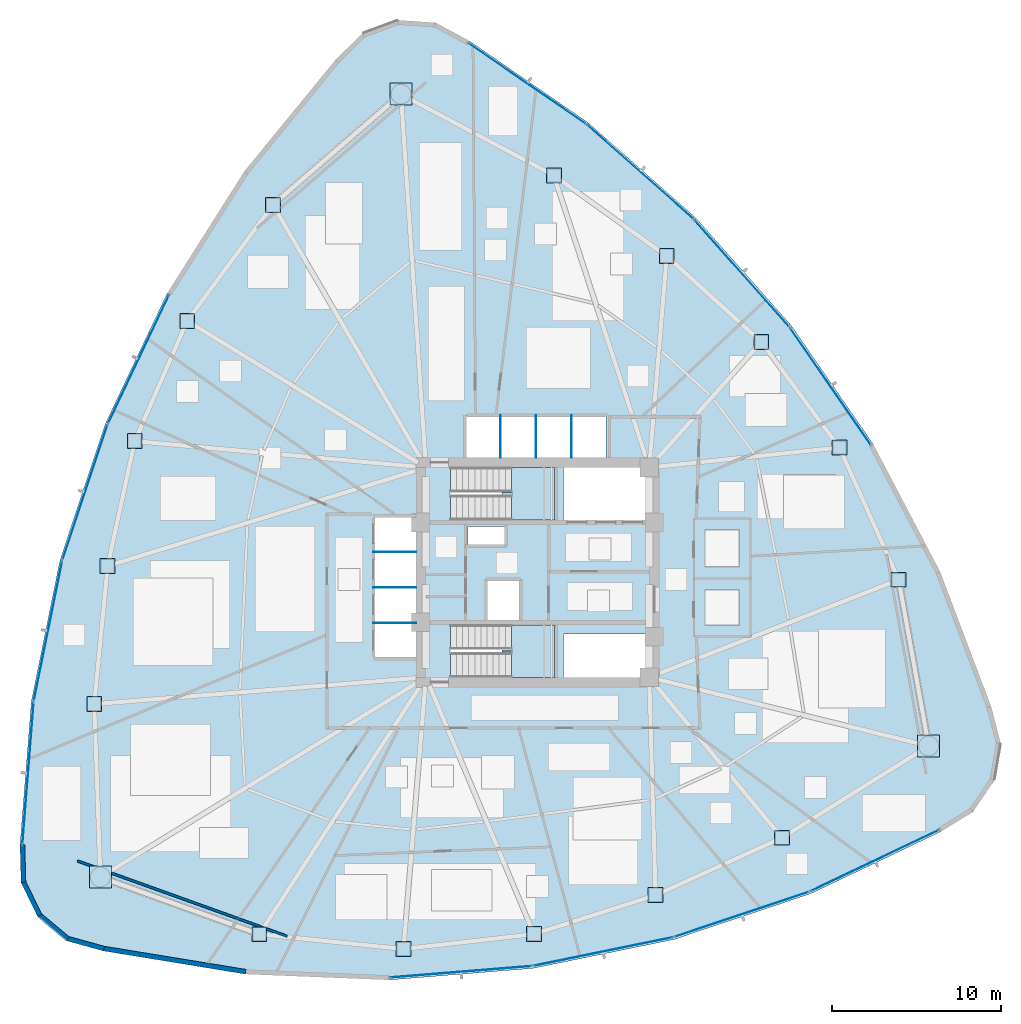
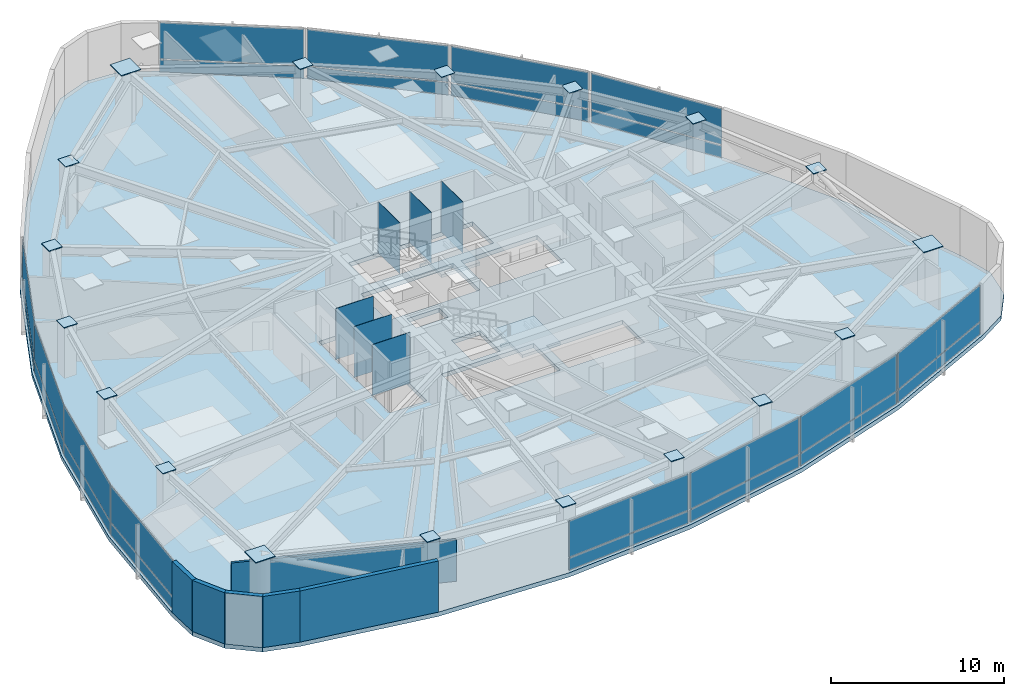
# One storey, part 11 of 18: 48 plates, 6 walls, 3 slabs, 14 elements without a shape of their own.
"""IFC4 building model written with IfcOpenShell, lengths in metres."""

import ifcopenshell
import ifcopenshell.guid

model = None  # the IFC model being written
_history = None  # IfcOwnerHistory: only IFC2X3 demands one
_inside = {}  # id of a spatial element -> (the spatial element, [elements in it])
_under = {}  # id of a project, library or spatial element -> (it, [spatial elements below it])
_declared = {}  # id of a project -> (the project, [libraries it declares])
_typed = {}  # id of a type object -> (the type object, [elements of that type])
_made_of = {}  # id of a material, layer set ... -> (it, [elements and type objects made of it])


def new_model(schema):
    """Start an empty IFC model of exactly this schema.

    Asked for "IFC4X3", IfcOpenShell would pick the latest addendum, in which some entities
    have other attributes; the version numbers below select the first issue.
    IFC2X3 requires an IfcOwnerHistory on every rooted entity: one is made here for all.
    """
    global model, _history
    if schema == "IFC4X3":
        model = ifcopenshell.file(schema_version=(4, 3, 0, 0))
    else:
        model = ifcopenshell.file(schema=schema)
    _inside.clear()
    _under.clear()
    _declared.clear()
    _typed.clear()
    _made_of.clear()
    _history = None
    if model.schema == "IFC2X3":
        org = make("IfcOrganization", Name="unknown")
        user = make(
            "IfcPersonAndOrganization",
            ThePerson=make("IfcPerson", FamilyName="unknown"),
            TheOrganization=org,
        )
        app = make(
            "IfcApplication",
            ApplicationDeveloper=org,
            Version="unknown",
            ApplicationFullName="unknown",
            ApplicationIdentifier="unknown",
        )
        _history = make(
            "IfcOwnerHistory",
            OwningUser=user,
            OwningApplication=app,
            ChangeAction="ADDED",
            CreationDate=0,
        )
    return model


def make(cls, **values):
    """One entity of the class cls with the attributes given. An attribute that is None is left unset."""
    return model.create_entity(
        cls, **{name: value for name, value in values.items() if value is not None}
    )


def rooted(cls, **values):
    """An entity with a GlobalId (a new one), such as an element, a storey or a relation."""
    return make(cls, GlobalId=ifcopenshell.guid.new(), OwnerHistory=_history, **values)


def si_unit(unit_type, name, prefix=None):
    """IfcSIUnit, for example si_unit("LENGTHUNIT", "METRE", prefix="MILLI")."""
    return make("IfcSIUnit", UnitType=unit_type, Prefix=prefix, Name=name)


def assignment(units):
    """IfcUnitAssignment: the units of a project."""
    return None if units is None else make("IfcUnitAssignment", Units=units)


def point(xyz):
    """IfcCartesianPoint."""
    return None if xyz is None else make("IfcCartesianPoint", Coordinates=xyz)


def direction(xyz):
    """IfcDirection."""
    return None if xyz is None else make("IfcDirection", DirectionRatios=xyz)


def frame(location, z_axis=None, x_axis=None):
    """IfcAxis2Placement3D, a coordinate frame: its origin and axes. An axis left out is left unset."""
    return make(
        "IfcAxis2Placement3D",
        Location=point(location),
        Axis=direction(z_axis),
        RefDirection=direction(x_axis),
    )


def frame_2d(location, x_axis=None):
    """IfcAxis2Placement2D, a coordinate frame in the plane: its origin and x axis."""
    return make(
        "IfcAxis2Placement2D", Location=point(location), RefDirection=direction(x_axis)
    )


def origin():
    """The frame at (0, 0, 0) with its axes left unset."""
    return frame((0.0, 0.0, 0.0))


def origin_2d():
    """The frame at (0, 0) in the plane with its x axis left unset."""
    return frame_2d((0.0, 0.0))


def place(relative_to, where):
    """IfcLocalPlacement: puts the frame where relative to a parent placement (None: the world)."""
    return make(
        "IfcLocalPlacement", PlacementRelTo=relative_to, RelativePlacement=where
    )


def context(
    kind, dimensions, precision=None, world=None, true_north=None, identifier=None
):
    """IfcGeometricRepresentationContext, for example the 3D "Model" context."""
    return make(
        "IfcGeometricRepresentationContext",
        ContextIdentifier=identifier,
        ContextType=kind,
        CoordinateSpaceDimension=dimensions,
        Precision=precision,
        WorldCoordinateSystem=world,
        TrueNorth=true_north,
    )


def subcontext(parent, identifier, kind, view, scale=None):
    """IfcGeometricRepresentationSubContext, for example "Body" below "Model"."""
    return make(
        "IfcGeometricRepresentationSubContext",
        ContextIdentifier=identifier,
        ContextType=kind,
        ParentContext=parent,
        TargetScale=scale,
        TargetView=view,
    )


def project(units=None, contexts=None):
    """IfcProject with its units and contexts."""
    return rooted(
        "IfcProject",
        Name="project",
        RepresentationContexts=contexts,
        UnitsInContext=assignment(units),
    )


def spatial(cls, under=None, at=None, **own):
    """A site, building, storey or space (cls), placed at a placement, below another one or the project."""
    s = rooted(cls, ObjectPlacement=at, **own)
    if under is not None:
        _under.setdefault(under.id(), (under, []))[1].append(s)
    return s


def polyline(points):
    """IfcPolyline through the points."""
    return make("IfcPolyline", Points=[point(p) for p in points])


def profile(cls, at=None, kind="AREA", **sizes):
    """A parametric profile (cls). Its sizes go by their IFC names, for example OverallWidth=200.0."""
    return make(cls, ProfileType=kind, Position=at, **sizes)


def rectangle(**sizes):
    """IfcRectangleProfileDef."""
    return profile("IfcRectangleProfileDef", **sizes)


def outline(outer, holes=None, kind="AREA"):
    """IfcArbitraryClosedProfileDef: a profile drawn as a closed curve; with holes, ...WithVoids."""
    if holes is None:
        return make("IfcArbitraryClosedProfileDef", ProfileType=kind, OuterCurve=outer)
    return make(
        "IfcArbitraryProfileDefWithVoids",
        ProfileType=kind,
        OuterCurve=outer,
        InnerCurves=holes,
    )


def extrude(swept, where, along, depth):
    """IfcExtrudedAreaSolid: the profile swept, set in the frame where, extruded along a direction by depth."""
    return make(
        "IfcExtrudedAreaSolid",
        SweptArea=swept,
        Position=where,
        ExtrudedDirection=direction(along),
        Depth=depth,
    )


def shape(context_of_items, identifier, shape_type, items):
    """IfcShapeRepresentation: the items that make up one representation, for example the "Body"."""
    return make(
        "IfcShapeRepresentation",
        ContextOfItems=context_of_items,
        RepresentationIdentifier=identifier,
        RepresentationType=shape_type,
        Items=items,
    )


def source(mapping_origin, context_of_items, identifier, shape_type, items):
    """IfcRepresentationMap: a shape defined once, which mapped items show again and again."""
    return make(
        "IfcRepresentationMap",
        MappingOrigin=mapping_origin,
        MappedRepresentation=shape(context_of_items, identifier, shape_type, items),
    )


def transform(
    local_origin,
    x_axis=None,
    y_axis=None,
    z_axis=None,
    scale=None,
    scale2=None,
    scale3=None,
    uniform=True,
):
    """IfcCartesianTransformationOperator3D, or its non-uniform kind. x_axis, y_axis, z_axis: its Axis1, 2, 3."""
    if uniform:
        return make(
            "IfcCartesianTransformationOperator3D",
            Axis1=direction(x_axis),
            Axis2=direction(y_axis),
            LocalOrigin=point(local_origin),
            Scale=scale,
            Axis3=direction(z_axis),
        )
    return make(
        "IfcCartesianTransformationOperator3DnonUniform",
        Axis1=direction(x_axis),
        Axis2=direction(y_axis),
        LocalOrigin=point(local_origin),
        Scale=scale,
        Axis3=direction(z_axis),
        Scale2=scale2,
        Scale3=scale3,
    )


def mapped(mapping_source, mapping_target):
    """IfcMappedItem: shows the shape of a source again, moved by a transform."""
    return make(
        "IfcMappedItem", MappingSource=mapping_source, MappingTarget=mapping_target
    )


def material(Name=None, Category=None):
    """IfcMaterial."""
    return make("IfcMaterial", Name=Name, Category=Category)


def layer(
    of_material, thickness, ventilated=None, Name=None, Category=None, Priority=None
):
    """IfcMaterialLayer: one layer of a wall or slab, of a material (None: an air gap)."""
    return make(
        "IfcMaterialLayer",
        Material=of_material,
        LayerThickness=thickness,
        IsVentilated=ventilated,
        Name=Name,
        Category=Category,
        Priority=Priority,
    )


def layer_set(layers, Name=None):
    """IfcMaterialLayerSet."""
    return make("IfcMaterialLayerSet", MaterialLayers=layers, LayerSetName=Name)


def made_of(thing, what):
    """Note that an element or type object is made of a material, layer set ...; save() writes the relation."""
    if what is not None:
        _made_of.setdefault(what.id(), (what, []))[1].append(thing)
    return thing


def type_object(cls, material=None, **own):
    """A type object (cls), such as IfcWallType, which elements share."""
    return made_of(rooted(cls, **own), material)


def type_shapes(of_type, sources):
    """Give a type object the sources (RepresentationMaps) that its elements show as mapped items."""
    of_type.RepresentationMaps = sources


def element(
    cls,
    number,
    at=None,
    inside=None,
    cuts=None,
    type_object=None,
    material=None,
    context=None,
    identifier="Body",
    shape_type=None,
    held_by="IfcProductDefinitionShape",
    body=None,
    shapes=None,
    **own,
):
    """One element of the class cls, such as IfcWall. Its Tag is "e" and its number.

    at: its placement. inside: the storey or other place that contains it. cuts: it is an
    opening in that element (IfcRelVoidsElement). A single representation is given by context,
    identifier, shape_type and body (its items); several are given by shapes. held_by: the class
    of the entity that holds the representations. save() writes the other relations.
    """
    e = rooted(cls, Tag="e%d" % number, ObjectPlacement=at, **own)
    if body is not None:
        shapes = [shape(context, identifier, shape_type, body)]
    if shapes is not None:
        e.Representation = make(held_by, Representations=shapes)
    if inside is not None:
        _inside.setdefault(inside.id(), (inside, []))[1].append(e)
    if cuts is not None:
        rooted(
            "IfcRelVoidsElement", RelatingBuildingElement=cuts, RelatedOpeningElement=e
        )
    if type_object is not None:
        _typed.setdefault(type_object.id(), (type_object, []))[1].append(e)
    return made_of(e, material)


def aggregate(whole, parts):
    """IfcRelAggregates: a whole, such as a stair, and the parts it consists of."""
    return rooted("IfcRelAggregates", RelatingObject=whole, RelatedObjects=parts)


def save(model, path):
    """Write the relations noted so far, then the file.

    IfcRelAggregates (storeys below a building ...), IfcRelContainedInSpatialStructure (elements
    in a storey), IfcRelDefinesByType, IfcRelAssociatesMaterial and IfcRelDeclares: one each for
    every whole, place, type object, material and project.
    """
    for whole, parts in _under.values():
        aggregate(whole, parts)
    for where, things in _inside.values():
        rooted(
            "IfcRelContainedInSpatialStructure",
            RelatedElements=things,
            RelatingStructure=where,
        )
    for kind, things in _typed.values():
        rooted("IfcRelDefinesByType", RelatedObjects=things, RelatingType=kind)
    for what, things in _made_of.values():
        rooted("IfcRelAssociatesMaterial", RelatedObjects=things, RelatingMaterial=what)
    for by, libraries in _declared.values():
        rooted("IfcRelDeclares", RelatingContext=by, RelatedDefinitions=libraries)
    model.write(path)


model = new_model("IFC4")

# Units and contexts
model_context = context("Model", 3, precision=1e-05, world=origin(), true_north=direction((0.0, 1.0)))
body_context = subcontext(model_context, "Body", "Model", "MODEL_VIEW")
ifc_project = project(units=[si_unit("LENGTHUNIT", "METRE"), si_unit("AREAUNIT", "SQUARE_METRE"), si_unit("VOLUMEUNIT", "CUBIC_METRE"), si_unit("PLANEANGLEUNIT", "RADIAN"), si_unit("MASSUNIT", "GRAM", prefix="KILO")], contexts=[model_context])

# Site, building, storey
site_placement = place(None, origin())
site = spatial("IfcSite", under=ifc_project, at=site_placement, CompositionType="ELEMENT")
building_placement = place(site_placement, origin())
building = spatial("IfcBuilding", under=site, at=building_placement, Name="Tavelor Broadcast Tower", CompositionType="ELEMENT")
storey_placement = place(building_placement, frame((0.0, 0.0, 58.800048828125)))
storey = spatial("IfcBuildingStorey", under=building, at=storey_placement, Name="L13", CompositionType="ELEMENT", Elevation=58.800048828125)

# Stair, slab
ifc_material_1 = material(Name="Concrete C40/50", Category="concrete")
stair_type = type_object("IfcStairType", Name="Reinforced Concrete Protected Dogleg Stair 1450 mm", PredefinedType="HALF_TURN_STAIR", material=ifc_material_1)
stair_1_placement = place(storey_placement, origin())
stair_1 = element("IfcStair", 1, at=stair_1_placement, inside=storey, type_object=stair_type, Name="L13 Protected Core Exit Stair ST1", PredefinedType="HALF_TURN_STAIR")
ifc_layer_1 = layer(ifc_material_1, 0.199951171875)
ifc_layer_set_1 = layer_set([ifc_layer_1], Name="Concrete C40/50")
slab_type_1 = type_object("IfcSlabType", Name="Reinforced Concrete Stair Half-Landing Slab 200 mm", PredefinedType="LANDING", material=ifc_layer_set_1)
slab_1_placement = place(storey_placement, frame((0.0, 0.0, 1.75)))
slab_1 = element("IfcSlab", 2, at=slab_1_placement, type_object=slab_type_1, Name="ST1 landing 1", PredefinedType="LANDING", context=body_context, shape_type="SweptSolid", body=[
    extrude(outline(polyline([(48.445068359375, 49.590087890625), (48.445068359375, 48.094970703125), (51.0048828125, 48.094970703125), (51.0048828125, 51.205078125), (48.445068359375, 51.205078125), (48.445068359375, 49.7099609375), (47.905029296875, 49.7099609375), (47.905029296875, 49.590087890625), (48.445068359375, 49.590087890625)])), origin(), (0.0, 0.0, 1.0), 0.199951171875),
])
aggregate(stair_1, [slab_1])

stair_2_placement = place(storey_placement, origin())
stair_2 = element("IfcStair", 3, at=stair_2_placement, inside=storey, type_object=stair_type, Name="L13 Protected Core Exit Stair ST2", PredefinedType="HALF_TURN_STAIR")
slab_2_placement = place(storey_placement, frame((0.0, 0.0, 1.75)))
slab_2 = element("IfcSlab", 4, at=slab_2_placement, type_object=slab_type_1, Name="ST2 landing 1", PredefinedType="LANDING", context=body_context, shape_type="SweptSolid", body=[
    extrude(outline(polyline([(48.445068359375, 40.2900390625), (48.445068359375, 38.794921875), (51.0048828125, 38.794921875), (51.0048828125, 41.905029296875), (48.445068359375, 41.905029296875), (48.445068359375, 40.409912109375), (47.905029296875, 40.409912109375), (47.905029296875, 40.2900390625), (48.445068359375, 40.2900390625)])), origin(), (0.0, 0.0, 1.0), 0.199951171875),
])
aggregate(stair_2, [slab_2])

# Slab
ifc_layer_2 = layer(ifc_material_1, 0.300048828125)
ifc_layer_set_2 = layer_set([ifc_layer_2], Name="Concrete C40/50")
slab_type_2 = type_object("IfcSlabType", Name="Tower Composite Floor Slab 300 mm", PredefinedType="FLOOR", material=ifc_layer_set_2)
slab_3_placement = place(storey_placement, frame((0.0, 0.0, -0.300048828125)))
element("IfcSlab", 5, at=slab_3_placement, inside=storey, type_object=slab_type_2, Name="L13 Structural Floor Slab", PredefinedType="FLOOR", context=body_context, shape_type="SweptSolid", body=[
    extrude(outline(polyline([(45.954833984375, 76.425537109375), (43.985595703125, 77.488037109375), (41.75390625, 77.64599609375), (39.654541015625, 76.87158203125), (38.06005859375, 75.302001953125), (32.668701171875, 68.709228515625), (28.114501953125, 61.5126953125), (24.46484375, 53.81787109375), (21.773193359375, 45.73779296875), (20.0791015625, 37.3916015625), (19.4072265625, 28.901611328125), (19.4716796875, 26.6650390625), (20.45068359375, 24.6533203125), (22.171142578125, 23.222412109375), (24.32763671875, 22.62646484375), (32.73291015625, 21.253662109375), (41.2421875, 20.907958984375), (49.731201171875, 21.5947265625), (58.074462890625, 23.3037109375), (66.1494140625, 26.009521484375), (73.837890625, 29.6728515625), (75.74267578125, 30.846923828125), (76.995361328125, 32.70068359375), (77.374267578125, 34.906005859375), (76.812255859375, 37.071533203125), (73.798583984375, 45.037109375), (69.843017578125, 52.579345703125), (65.004150390625, 59.58740234375), (59.3525390625, 65.95849609375), (52.971435546875, 71.598876953125), (45.954833984375, 76.425537109375)]), holes=[polyline([(56.60009765625, 38.800048828125), (51.52001953125, 38.800048828125), (51.52001953125, 41.35009765625), (56.60009765625, 41.35009765625), (56.60009765625, 38.800048828125)]), polyline([(50.99609375, 38.803955078125), (44.85400390625, 38.803955078125), (44.85400390625, 41.89599609375), (50.99609375, 41.89599609375), (50.99609375, 38.803955078125)]), polyline([(47.050048828125, 42.199951171875), (47.050048828125, 44.550048828125), (48.949951171875, 44.550048828125), (48.949951171875, 42.199951171875), (47.050048828125, 42.199951171875)]), polyline([(40.35009765625, 40.0), (40.35009765625, 48.25), (42.800048828125, 48.25), (42.800048828125, 40.0), (40.35009765625, 40.0)]), polyline([(48.050048828125, 46.64990234375), (45.89990234375, 46.64990234375), (45.89990234375, 47.699951171875), (48.050048828125, 47.699951171875), (48.050048828125, 46.64990234375)]), polyline([(50.99609375, 48.10400390625), (44.85400390625, 48.10400390625), (44.85400390625, 51.196044921875), (50.99609375, 51.196044921875), (50.99609375, 48.10400390625)]), polyline([(56.60009765625, 48.10009765625), (51.52001953125, 48.10009765625), (51.52001953125, 51.199951171875), (56.60009765625, 51.199951171875), (56.60009765625, 48.10009765625)]), polyline([(54.050048828125, 51.800048828125), (45.800048828125, 51.800048828125), (45.800048828125, 54.25), (54.050048828125, 54.25), (54.050048828125, 51.800048828125)])]), origin(), (0.0, 0.0, 1.0), 0.300048828125),
])

# Plates
ifc_material_2 = material(Name="Steel S460", Category="steel")
ifc_layer_3 = layer(ifc_material_2, 0.050048828125)
ifc_layer_set_3 = layer_set([ifc_layer_3], Name="Steel S460")
plate_type_1 = type_object("IfcPlateType", Name="Tube Hollow-End Cap Plate KN05 700x700x50", PredefinedType="USERDEFINED", material=ifc_layer_set_3)
shared_shape_1 = source(origin(), body_context, "Body", "SweptSolid", [
    extrude(rectangle(XDim=1.299072265625, YDim=1.299072265625, at=origin_2d()), origin(), (0.0, 0.0, 1.0), 0.054931640625),
])
for number, where, z_axis, x_axis, name in (
    (6, (41.923095703125, 73.266357421875, 3.572265625), (0.0, 0.0, 1.0), (1.0, 0.0, 0.0), "L13 Hollow End Cap Plate KN05 #418"),
    (7, (24.1591796875, 26.98974609375, 3.572265625), (0.0, 0.0, 1.0), (1.0, 0.0, 0.0), "L13 Hollow End Cap Plate KN05 #424"),
    (8, (73.117919921875, 34.743896484375, 3.572265625), (0.0, 0.0, 1.0), (1.0, 0.0, 0.0), "L13 Hollow End Cap Plate KN05 #430"),
):
    element("IfcPlate", number, at=place(storey_placement, frame(where, z_axis=z_axis, x_axis=x_axis)), inside=storey, type_object=plate_type_1, Name=name, ObjectType="CAP PLATE", PredefinedType="USERDEFINED", context=body_context, shape_type="MappedRepresentation", body=[
        mapped(shared_shape_1, transform((0.0, 0.0, 0.0), scale=1.0)),
    ])
shared_shape_2 = source(origin(), body_context, "Body", "SweptSolid", [
    extrude(rectangle(XDim=0.8798828125, YDim=0.8798828125, at=origin_2d()), origin(), (0.0, 0.0, 1.0), 0.054931640625),
])
type_shapes(plate_type_1, [shared_shape_1, shared_shape_2])
for number, where, z_axis, x_axis, name in (
    (9, (34.356201171875, 66.727783203125, 3.572265625), (0.0, 0.0, 1.0), (1.0, 0.0, 0.0), "L13 Hollow End Cap Plate KN05 #419"),
    (10, (29.292236328125, 59.87158203125, 3.572265625), (0.0, 0.0, 1.0), (1.0, 0.0, 0.0), "L13 Hollow End Cap Plate KN05 #420"),
    (11, (26.189208984375, 52.75830078125, 3.572265625), (0.0, 0.0, 1.0), (1.0, 0.0, 0.0), "L13 Hollow End Cap Plate KN05 #421"),
    (12, (24.58984375, 45.380615234375, 3.572265625), (0.0, 0.0, 1.0), (1.0, 0.0, 0.0), "L13 Hollow End Cap Plate KN05 #422"),
    (13, (23.794677734375, 37.21630859375, 3.572265625), (0.0, 0.0, 1.0), (1.0, 0.0, 0.0), "L13 Hollow End Cap Plate KN05 #423"),
    (14, (33.55078125, 23.615478515625, 3.572265625), (0.0, 0.0, 1.0), (1.0, 0.0, 0.0), "L13 Hollow End Cap Plate KN05 #425"),
    (15, (42.0732421875, 22.740478515625, 3.572265625), (0.0, 0.0, 1.0), (1.0, 0.0, 0.0), "L13 Hollow End Cap Plate KN05 #426"),
    (16, (49.78662109375, 23.617919921875, 3.572265625), (0.0, 0.0, 1.0), (1.0, 0.0, 0.0), "L13 Hollow End Cap Plate KN05 #427"),
    (17, (56.975341796875, 25.92138671875, 3.572265625), (0.0, 0.0, 1.0), (1.0, 0.0, 0.0), "L13 Hollow End Cap Plate KN05 #428"),
    (18, (64.443603515625, 29.31494140625, 3.572265625), (0.0, 0.0, 1.0), (1.0, 0.0, 0.0), "L13 Hollow End Cap Plate KN05 #429"),
    (19, (71.343994140625, 44.564697265625, 3.572265625), (0.0, 0.0, 1.0), (1.0, 0.0, 0.0), "L13 Hollow End Cap Plate KN05 #431"),
    (20, (67.8408203125, 52.382568359375, 3.572265625), (0.0, 0.0, 1.0), (1.0, 0.0, 0.0), "L13 Hollow End Cap Plate KN05 #432"),
    (21, (63.22412109375, 58.623779296875, 3.572265625), (0.0, 0.0, 1.0), (1.0, 0.0, 0.0), "L13 Hollow End Cap Plate KN05 #433"),
    (22, (57.634765625, 63.69775390625, 3.572265625), (0.0, 0.0, 1.0), (1.0, 0.0, 0.0), "L13 Hollow End Cap Plate KN05 #434"),
    (23, (50.9619140625, 68.468505859375, 3.572265625), (0.0, 0.0, 1.0), (1.0, 0.0, 0.0), "L13 Hollow End Cap Plate KN05 #435"),
):
    element("IfcPlate", number, at=place(storey_placement, frame(where, z_axis=z_axis, x_axis=x_axis)), inside=storey, type_object=plate_type_1, Name=name, ObjectType="CAP PLATE", PredefinedType="USERDEFINED", context=body_context, shape_type="MappedRepresentation", body=[
        mapped(shared_shape_2, transform((0.0, 0.0, 0.0), scale=1.0)),
    ])
ifc_material_3 = material(Name="Steel S355", Category="steel")
ifc_layer_4 = layer(ifc_material_3, 0.011962890625)
ifc_layer_set_4 = layer_set([ifc_layer_4], Name="Steel S355")
plate_type_2 = type_object("IfcPlateType", Name="Hoistway Steel Separator Screen 12 mm", PredefinedType="SHEET", material=ifc_layer_set_4)
shared_shape_3 = source(origin(), body_context, "Body", "SweptSolid", [
    extrude(rectangle(XDim=2.52001953125, YDim=0.02001953125, at=origin_2d()), origin(), (0.0, 0.0, 1.0), 3.60009765625),
])
for number, where, z_axis, x_axis, name in (
    (24, (41.56005859375, 42.0, 0.0), (0.0, 0.0, 1.0), (1.0, 0.0, 0.0), "L13 Low-Rise Hoistway Separator Screen 1"),
    (25, (41.56005859375, 44.10009765625, 0.0), (0.0, 0.0, 1.0), (1.0, 0.0, 0.0), "L13 Low-Rise Hoistway Separator Screen 2"),
    (26, (41.56005859375, 46.199951171875, 0.0), (0.0, 0.0, 1.0), (1.0, 0.0, 0.0), "L13 Low-Rise Hoistway Separator Screen 3"),
):
    element("IfcPlate", number, at=place(storey_placement, frame(where, z_axis=z_axis, x_axis=x_axis)), inside=storey, type_object=plate_type_2, Name=name, PredefinedType="SHEET", context=body_context, shape_type="MappedRepresentation", body=[
        mapped(shared_shape_3, transform((0.0, 0.0, 0.0), scale=1.0)),
    ])
shared_shape_4 = source(origin(), body_context, "Body", "SweptSolid", [
    extrude(rectangle(XDim=0.02001953125, YDim=2.52001953125, at=origin_2d()), origin(), (0.0, 0.0, 1.0), 3.60009765625),
])
type_shapes(plate_type_2, [shared_shape_3, shared_shape_4])
for number, where, z_axis, x_axis, name in (
    (27, (47.800048828125, 53.0400390625, 0.0), (0.0, 0.0, 1.0), (1.0, 0.0, 0.0), "L13 High-Rise Hoistway Separator Screen 1"),
    (28, (49.89990234375, 53.0400390625, 0.0), (0.0, 0.0, 1.0), (1.0, 0.0, 0.0), "L13 High-Rise Hoistway Separator Screen 2"),
    (29, (52.0, 53.0400390625, 0.0), (0.0, 0.0, 1.0), (1.0, 0.0, 0.0), "L13 High-Rise Hoistway Separator Screen 3"),
):
    element("IfcPlate", number, at=place(storey_placement, frame(where, z_axis=z_axis, x_axis=x_axis)), inside=storey, type_object=plate_type_2, Name=name, PredefinedType="SHEET", context=body_context, shape_type="MappedRepresentation", body=[
        mapped(shared_shape_4, transform((0.0, 0.0, 0.0), scale=1.0)),
    ])

# Curtain wall, plate
ifc_material_4 = material(Name="Architectural Anodized Aluminium", Category="aluminium")
ifc_layer_5 = layer(ifc_material_4, 0.179931640625)
ifc_layer_set_5 = layer_set([ifc_layer_5], Name="Architectural Anodized Aluminium")
curtain_wall_type = type_object("IfcCurtainWallType", Name="Tower Low-Zone Unitised Curtain Wall CW02", PredefinedType="NOTDEFINED", material=ifc_layer_set_5)
curtain_wall_1_placement = place(storey_placement, origin())
curtain_wall_1 = element("IfcCurtainWall", 30, at=curtain_wall_1_placement, inside=storey, type_object=curtain_wall_type, Name="L13 Curtain Wall CW02 Run 109", PredefinedType="NOTDEFINED")
ifc_material_5 = material(Name="Acoustic Double Glazing 28 mm", Category="glass")
ifc_layer_6 = layer(ifc_material_5, 0.028076171875)
ifc_layer_set_6 = layer_set([ifc_layer_6], Name="Acoustic Double Glazing 28 mm")
plate_type_3 = type_object("IfcPlateType", Name="CW02 Insulated Vision Glazing Panel 28 mm", PredefinedType="CURTAIN_PANEL", material=ifc_layer_set_6)
shared_shape_5 = source(origin(), body_context, "Body", "SweptSolid", [
    extrude(rectangle(XDim=8.3544921875, YDim=0.028076171875, at=origin_2d()), origin(), (0.0, 0.0, 1.0), 0.8525390625),
])
plate_1_placement = place(storey_placement, frame((26.41943359375, 57.612060546875, 0.06494140625), z_axis=(0.0, 0.0, 1.0), x_axis=(-0.428537209834, -0.903524133484, 0.0)))
plate_1 = element("IfcPlate", 31, at=plate_1_placement, type_object=plate_type_3, Name="CW02 panel 1.1", PredefinedType="CURTAIN_PANEL", context=body_context, shape_type="MappedRepresentation", body=[
    mapped(shared_shape_5, transform((0.0, 0.0, 0.0), scale=1.0)),
])

curtain_wall_2_placement = place(storey_placement, origin())
curtain_wall_2 = element("IfcCurtainWall", 32, at=curtain_wall_2_placement, inside=storey, type_object=curtain_wall_type, Name="L13 Curtain Wall CW02 Run 113", PredefinedType="NOTDEFINED")
plate_2_placement = place(storey_placement, frame((45.468017578125, 21.39013671875, 0.06494140625), z_axis=(0.0, 0.0, 1.0), x_axis=(0.996744169604, 0.080629153288, 0.0)))
plate_2 = element("IfcPlate", 33, at=plate_2_placement, type_object=plate_type_3, Name="CW02 panel 1.1", PredefinedType="CURTAIN_PANEL", context=body_context, shape_type="MappedRepresentation", body=[
    mapped(shared_shape_5, transform((0.0, 0.0, 0.0), scale=1.0)),
])

curtain_wall_3_placement = place(storey_placement, origin())
curtain_wall_3 = element("IfcCurtainWall", 34, at=curtain_wall_3_placement, inside=storey, type_object=curtain_wall_type, Name="L13 Curtain Wall CW02 Run 117", PredefinedType="NOTDEFINED")
plate_3_placement = place(storey_placement, frame((67.312744140625, 55.99755859375, 0.06494140625), z_axis=(0.0, 0.0, 1.0), x_axis=(-0.568201358552, 0.82288955282, 0.0)))
plate_3 = element("IfcPlate", 35, at=plate_3_placement, type_object=plate_type_3, Name="CW02 panel 1.1", PredefinedType="CURTAIN_PANEL", context=body_context, shape_type="MappedRepresentation", body=[
    mapped(shared_shape_5, transform((0.0, 0.0, 0.0), scale=1.0)),
])

# Plate
shared_shape_6 = source(origin(), body_context, "Body", "SweptSolid", [
    extrude(rectangle(XDim=8.3544921875, YDim=0.028076171875, at=origin_2d()), origin(), (0.0, 0.0, 1.0), 2.552490234375),
])
plate_4_placement = place(storey_placement, frame((26.41943359375, 57.612060546875, 0.982421875), z_axis=(0.0, 0.0, 1.0), x_axis=(-0.428537209834, -0.903524133484, 0.0)))
plate_4 = element("IfcPlate", 36, at=plate_4_placement, type_object=plate_type_3, Name="CW02 panel 1.2", PredefinedType="CURTAIN_PANEL", context=body_context, shape_type="MappedRepresentation", body=[
    mapped(shared_shape_6, transform((0.0, 0.0, 0.0), scale=1.0)),
])

aggregate(curtain_wall_1, [plate_1, plate_4])

plate_5_placement = place(storey_placement, frame((45.468017578125, 21.39013671875, 0.982421875), z_axis=(0.0, 0.0, 1.0), x_axis=(0.996744169604, 0.080629153288, 0.0)))
plate_5 = element("IfcPlate", 37, at=plate_5_placement, type_object=plate_type_3, Name="CW02 panel 1.2", PredefinedType="CURTAIN_PANEL", context=body_context, shape_type="MappedRepresentation", body=[
    mapped(shared_shape_6, transform((0.0, 0.0, 0.0), scale=1.0)),
])

aggregate(curtain_wall_2, [plate_2, plate_5])

plate_6_placement = place(storey_placement, frame((67.312744140625, 55.99755859375, 0.982421875), z_axis=(0.0, 0.0, 1.0), x_axis=(-0.568201358552, 0.82288955282, 0.0)))
plate_6 = element("IfcPlate", 38, at=plate_6_placement, type_object=plate_type_3, Name="CW02 panel 1.2", PredefinedType="CURTAIN_PANEL", context=body_context, shape_type="MappedRepresentation", body=[
    mapped(shared_shape_6, transform((0.0, 0.0, 0.0), scale=1.0)),
])

aggregate(curtain_wall_3, [plate_3, plate_6])

# Curtain wall, plate
curtain_wall_4_placement = place(storey_placement, origin())
curtain_wall_4 = element("IfcCurtainWall", 39, at=curtain_wall_4_placement, inside=storey, type_object=curtain_wall_type, Name="L13 Curtain Wall CW02 Run 110", PredefinedType="NOTDEFINED")
shared_shape_7 = source(origin(), body_context, "Body", "SweptSolid", [
    extrude(rectangle(XDim=8.339599609375, YDim=0.028076171875, at=origin_2d()), origin(), (0.0, 0.0, 1.0), 0.8525390625),
])
plate_7_placement = place(storey_placement, frame((23.251953125, 49.733642578125, 0.06494140625), z_axis=(0.0, 0.0, 1.0), x_axis=(-0.3160471147, -0.948743496046, 0.0)))
plate_7 = element("IfcPlate", 40, at=plate_7_placement, type_object=plate_type_3, Name="CW02 panel 1.1", PredefinedType="CURTAIN_PANEL", context=body_context, shape_type="MappedRepresentation", body=[
    mapped(shared_shape_7, transform((0.0, 0.0, 0.0), scale=1.0)),
])

curtain_wall_5_placement = place(storey_placement, origin())
curtain_wall_5 = element("IfcCurtainWall", 41, at=curtain_wall_5_placement, inside=storey, type_object=curtain_wall_type, Name="L13 Curtain Wall CW02 Run 114", PredefinedType="NOTDEFINED")
plate_8_placement = place(storey_placement, frame((53.874755859375, 22.586181640625, 0.06494140625), z_axis=(0.0, 0.0, 1.0), x_axis=(0.979663322445, 0.200648385632, 0.0)))
plate_8 = element("IfcPlate", 42, at=plate_8_placement, type_object=plate_type_3, Name="CW02 panel 1.1", PredefinedType="CURTAIN_PANEL", context=body_context, shape_type="MappedRepresentation", body=[
    mapped(shared_shape_7, transform((0.0, 0.0, 0.0), scale=1.0)),
])

curtain_wall_6_placement = place(storey_placement, origin())
curtain_wall_6 = element("IfcCurtainWall", 43, at=curtain_wall_6_placement, inside=storey, type_object=curtain_wall_type, Name="L13 Curtain Wall CW02 Run 118", PredefinedType="NOTDEFINED")
plate_9_placement = place(storey_placement, frame((62.073486328125, 62.679931640625, 0.06494140625), z_axis=(0.0, 0.0, 1.0), x_axis=(-0.663604261078, 0.748083808593, 0.0)))
plate_9 = element("IfcPlate", 44, at=plate_9_placement, type_object=plate_type_3, Name="CW02 panel 1.1", PredefinedType="CURTAIN_PANEL", context=body_context, shape_type="MappedRepresentation", body=[
    mapped(shared_shape_7, transform((0.0, 0.0, 0.0), scale=1.0)),
])

# Plate
shared_shape_8 = source(origin(), body_context, "Body", "SweptSolid", [
    extrude(rectangle(XDim=8.339599609375, YDim=0.028076171875, at=origin_2d()), origin(), (0.0, 0.0, 1.0), 2.552490234375),
])
plate_10_placement = place(storey_placement, frame((23.251953125, 49.733642578125, 0.982421875), z_axis=(0.0, 0.0, 1.0), x_axis=(-0.3160471147, -0.948743496046, 0.0)))
plate_10 = element("IfcPlate", 45, at=plate_10_placement, type_object=plate_type_3, Name="CW02 panel 1.2", PredefinedType="CURTAIN_PANEL", context=body_context, shape_type="MappedRepresentation", body=[
    mapped(shared_shape_8, transform((0.0, 0.0, 0.0), scale=1.0)),
])

aggregate(curtain_wall_4, [plate_7, plate_10])

plate_11_placement = place(storey_placement, frame((53.874755859375, 22.586181640625, 0.982421875), z_axis=(0.0, 0.0, 1.0), x_axis=(0.979663322445, 0.200648385632, 0.0)))
plate_11 = element("IfcPlate", 46, at=plate_11_placement, type_object=plate_type_3, Name="CW02 panel 1.2", PredefinedType="CURTAIN_PANEL", context=body_context, shape_type="MappedRepresentation", body=[
    mapped(shared_shape_8, transform((0.0, 0.0, 0.0), scale=1.0)),
])

aggregate(curtain_wall_5, [plate_8, plate_11])

plate_12_placement = place(storey_placement, frame((62.073486328125, 62.679931640625, 0.982421875), z_axis=(0.0, 0.0, 1.0), x_axis=(-0.663604261078, 0.748083808593, 0.0)))
plate_12 = element("IfcPlate", 47, at=plate_12_placement, type_object=plate_type_3, Name="CW02 panel 1.2", PredefinedType="CURTAIN_PANEL", context=body_context, shape_type="MappedRepresentation", body=[
    mapped(shared_shape_8, transform((0.0, 0.0, 0.0), scale=1.0)),
])

aggregate(curtain_wall_6, [plate_9, plate_12])

# Curtain wall, plate
curtain_wall_7_placement = place(storey_placement, origin())
curtain_wall_7 = element("IfcCurtainWall", 48, at=curtain_wall_7_placement, inside=storey, type_object=curtain_wall_type, Name="L13 Curtain Wall CW02 Run 111", PredefinedType="NOTDEFINED")
shared_shape_9 = source(origin(), body_context, "Body", "SweptSolid", [
    extrude(rectangle(XDim=8.33935546875, YDim=0.028076171875, at=origin_2d()), origin(), (0.0, 0.0, 1.0), 0.8525390625),
])
plate_13_placement = place(storey_placement, frame((21.063232421875, 41.536865234375, 0.06494140625), z_axis=(0.0, 0.0, 1.0), x_axis=(-0.198928633583, -0.98001397885, 0.0)))
plate_13 = element("IfcPlate", 49, at=plate_13_placement, type_object=plate_type_3, Name="CW02 panel 1.1", PredefinedType="CURTAIN_PANEL", context=body_context, shape_type="MappedRepresentation", body=[
    mapped(shared_shape_9, transform((0.0, 0.0, 0.0), scale=1.0)),
])

curtain_wall_8_placement = place(storey_placement, origin())
curtain_wall_8 = element("IfcCurtainWall", 50, at=curtain_wall_8_placement, inside=storey, type_object=curtain_wall_type, Name="L13 Curtain Wall CW02 Run 115", PredefinedType="NOTDEFINED")
plate_14_placement = place(storey_placement, frame((62.0673828125, 24.789306640625, 0.06494140625), z_axis=(0.0, 0.0, 1.0), x_axis=(0.948180295963, 0.317732790798, 0.0)))
plate_14 = element("IfcPlate", 51, at=plate_14_placement, type_object=plate_type_3, Name="CW02 panel 1.1", PredefinedType="CURTAIN_PANEL", context=body_context, shape_type="MappedRepresentation", body=[
    mapped(shared_shape_9, transform((0.0, 0.0, 0.0), scale=1.0)),
])

curtain_wall_9_placement = place(storey_placement, origin())
curtain_wall_9 = element("IfcCurtainWall", 52, at=curtain_wall_9_placement, inside=storey, type_object=curtain_wall_type, Name="L13 Curtain Wall CW02 Run 119", PredefinedType="NOTDEFINED")
plate_15_placement = place(storey_placement, frame((56.0693359375, 68.673828125, 0.06494140625), z_axis=(0.0, 0.0, 1.0), x_axis=(-0.749259729906, 0.662276269498, 0.0)))
plate_15 = element("IfcPlate", 53, at=plate_15_placement, type_object=plate_type_3, Name="CW02 panel 1.1", PredefinedType="CURTAIN_PANEL", context=body_context, shape_type="MappedRepresentation", body=[
    mapped(shared_shape_9, transform((0.0, 0.0, 0.0), scale=1.0)),
])

# Plate
shared_shape_10 = source(origin(), body_context, "Body", "SweptSolid", [
    extrude(rectangle(XDim=8.33935546875, YDim=0.028076171875, at=origin_2d()), origin(), (0.0, 0.0, 1.0), 2.552490234375),
])
plate_16_placement = place(storey_placement, frame((21.063232421875, 41.536865234375, 0.982421875), z_axis=(0.0, 0.0, 1.0), x_axis=(-0.198928633583, -0.98001397885, 0.0)))
plate_16 = element("IfcPlate", 54, at=plate_16_placement, type_object=plate_type_3, Name="CW02 panel 1.2", PredefinedType="CURTAIN_PANEL", context=body_context, shape_type="MappedRepresentation", body=[
    mapped(shared_shape_10, transform((0.0, 0.0, 0.0), scale=1.0)),
])

aggregate(curtain_wall_7, [plate_13, plate_16])

plate_17_placement = place(storey_placement, frame((62.0673828125, 24.789306640625, 0.982421875), z_axis=(0.0, 0.0, 1.0), x_axis=(0.948180295963, 0.317732790798, 0.0)))
plate_17 = element("IfcPlate", 55, at=plate_17_placement, type_object=plate_type_3, Name="CW02 panel 1.2", PredefinedType="CURTAIN_PANEL", context=body_context, shape_type="MappedRepresentation", body=[
    mapped(shared_shape_10, transform((0.0, 0.0, 0.0), scale=1.0)),
])

aggregate(curtain_wall_8, [plate_14, plate_17])

plate_18_placement = place(storey_placement, frame((56.0693359375, 68.673828125, 0.982421875), z_axis=(0.0, 0.0, 1.0), x_axis=(-0.749259729906, 0.662276269498, 0.0)))
plate_18 = element("IfcPlate", 56, at=plate_18_placement, type_object=plate_type_3, Name="CW02 panel 1.2", PredefinedType="CURTAIN_PANEL", context=body_context, shape_type="MappedRepresentation", body=[
    mapped(shared_shape_10, transform((0.0, 0.0, 0.0), scale=1.0)),
])

aggregate(curtain_wall_9, [plate_15, plate_18])

# Curtain wall, plate
curtain_wall_10_placement = place(storey_placement, origin())
curtain_wall_10 = element("IfcCurtainWall", 57, at=curtain_wall_10_placement, inside=storey, type_object=curtain_wall_type, Name="L13 Curtain Wall CW02 Run 112", PredefinedType="NOTDEFINED")
shared_shape_11 = source(origin(), body_context, "Body", "SweptSolid", [
    extrude(rectangle(XDim=8.35546875, YDim=0.028076171875, at=origin_2d()), origin(), (0.0, 0.0, 1.0), 0.8525390625),
])
plate_19_placement = place(storey_placement, frame((19.882080078125, 33.127685546875, 0.06494140625), z_axis=(0.0, 0.0, 1.0), x_axis=(-0.078864601875, -0.996885336722, 0.0)))
plate_19 = element("IfcPlate", 58, at=plate_19_placement, type_object=plate_type_3, Name="CW02 panel 1.1", PredefinedType="CURTAIN_PANEL", context=body_context, shape_type="MappedRepresentation", body=[
    mapped(shared_shape_11, transform((0.0, 0.0, 0.0), scale=1.0)),
])

curtain_wall_11_placement = place(storey_placement, origin())
curtain_wall_11 = element("IfcCurtainWall", 59, at=curtain_wall_11_placement, inside=storey, type_object=curtain_wall_type, Name="L13 Curtain Wall CW02 Run 116", PredefinedType="NOTDEFINED")
plate_20_placement = place(storey_placement, frame((69.940673828125, 27.970947265625, 0.06494140625), z_axis=(0.0, 0.0, 1.0), x_axis=(0.902764867303, 0.430134391049, 0.0)))
plate_20 = element("IfcPlate", 60, at=plate_20_placement, type_object=plate_type_3, Name="CW02 panel 1.1", PredefinedType="CURTAIN_PANEL", context=body_context, shape_type="MappedRepresentation", body=[
    mapped(shared_shape_11, transform((0.0, 0.0, 0.0), scale=1.0)),
])

curtain_wall_12_placement = place(storey_placement, origin())
curtain_wall_12 = element("IfcCurtainWall", 61, at=curtain_wall_12_placement, inside=storey, type_object=curtain_wall_type, Name="L13 Curtain Wall CW02 Run 120", PredefinedType="NOTDEFINED")
plate_21_placement = place(storey_placement, frame((49.377197265625, 73.9013671875, 0.06494140625), z_axis=(0.0, 0.0, 1.0), x_axis=(-0.82389231823, 0.566746370047, 0.0)))
plate_21 = element("IfcPlate", 62, at=plate_21_placement, type_object=plate_type_3, Name="CW02 panel 1.1", PredefinedType="CURTAIN_PANEL", context=body_context, shape_type="MappedRepresentation", body=[
    mapped(shared_shape_11, transform((0.0, 0.0, 0.0), scale=1.0)),
])

# Plate
shared_shape_12 = source(origin(), body_context, "Body", "SweptSolid", [
    extrude(rectangle(XDim=8.35546875, YDim=0.028076171875, at=origin_2d()), origin(), (0.0, 0.0, 1.0), 2.552490234375),
])
type_shapes(plate_type_3, [shared_shape_5, shared_shape_6, shared_shape_7, shared_shape_8, shared_shape_9, shared_shape_10, shared_shape_11, shared_shape_12])
plate_22_placement = place(storey_placement, frame((19.882080078125, 33.127685546875, 0.982421875), z_axis=(0.0, 0.0, 1.0), x_axis=(-0.078864601875, -0.996885336722, 0.0)))
plate_22 = element("IfcPlate", 63, at=plate_22_placement, type_object=plate_type_3, Name="CW02 panel 1.2", PredefinedType="CURTAIN_PANEL", context=body_context, shape_type="MappedRepresentation", body=[
    mapped(shared_shape_12, transform((0.0, 0.0, 0.0), scale=1.0)),
])

aggregate(curtain_wall_10, [plate_19, plate_22])

plate_23_placement = place(storey_placement, frame((69.940673828125, 27.970947265625, 0.982421875), z_axis=(0.0, 0.0, 1.0), x_axis=(0.902764867303, 0.430134391049, 0.0)))
plate_23 = element("IfcPlate", 64, at=plate_23_placement, type_object=plate_type_3, Name="CW02 panel 1.2", PredefinedType="CURTAIN_PANEL", context=body_context, shape_type="MappedRepresentation", body=[
    mapped(shared_shape_12, transform((0.0, 0.0, 0.0), scale=1.0)),
])

aggregate(curtain_wall_11, [plate_20, plate_23])

plate_24_placement = place(storey_placement, frame((49.377197265625, 73.9013671875, 0.982421875), z_axis=(0.0, 0.0, 1.0), x_axis=(-0.82389231823, 0.566746370047, 0.0)))
plate_24 = element("IfcPlate", 65, at=plate_24_placement, type_object=plate_type_3, Name="CW02 panel 1.2", PredefinedType="CURTAIN_PANEL", context=body_context, shape_type="MappedRepresentation", body=[
    mapped(shared_shape_12, transform((0.0, 0.0, 0.0), scale=1.0)),
])

aggregate(curtain_wall_12, [plate_21, plate_24])

# Walls
ifc_material_6 = material(Name="Precast Concrete C40/50", Category="concrete")
ifc_layer_7 = layer(ifc_material_6, 0.280029296875)
ifc_layer_set_7 = layer_set([ifc_layer_7], Name="Precast Concrete C40/50")
wall_type_1 = type_object("IfcWallType", Name="Insulated Precast Terracotta Facade Wall 280 mm", PredefinedType="STANDARD", material=ifc_layer_set_7)
wall_1_placement = place(storey_placement, frame((19.54736328125, 28.902099609375, 0.0), z_axis=(0.0, 0.0, 1.0), x_axis=(0.028719984203, -0.999587496174, 0.0)))
element("IfcWall", 66, at=wall_1_placement, inside=storey, type_object=wall_type_1, Name="L13 Rounded Corner Structural Cladding Pier 11", PredefinedType="STANDARD", context=body_context, shape_type="SweptSolid", body=[
    extrude(rectangle(XDim=2.21875, YDim=0.280029296875, at=frame_2d((1.109375, 0.0))), origin(), (0.0, 0.0, 1.0), 3.599853515625),
])
wall_2_placement = place(storey_placement, frame((19.604248046875, 26.712646484375, 0.0), z_axis=(0.0, 0.0, 1.0), x_axis=(0.437586586001, -0.899176278464, 0.0)))
element("IfcWall", 67, at=wall_2_placement, inside=storey, type_object=wall_type_1, Name="L13 Rounded Corner Structural Cladding Pier 12", PredefinedType="STANDARD", context=body_context, shape_type="SweptSolid", body=[
    extrude(rectangle(XDim=2.20703125, YDim=0.280029296875, at=frame_2d((1.103515625, 0.0))), origin(), (0.0, 0.0, 1.0), 3.599853515625),
])
wall_3_placement = place(storey_placement, frame((20.552001953125, 24.751220703125, 0.0), z_axis=(0.0, 0.0, 1.0), x_axis=(0.768846491017, -0.639433400168, 0.0)))
element("IfcWall", 68, at=wall_3_placement, inside=storey, type_object=wall_type_1, Name="L13 Rounded Corner Structural Cladding Pier 13", PredefinedType="STANDARD", context=body_context, shape_type="SweptSolid", body=[
    extrude(rectangle(XDim=2.207275390625, YDim=0.280029296875, at=frame_2d((1.103515625, 0.0))), origin(), (0.0, 0.0, 1.0), 3.599853515625),
])
wall_4_placement = place(storey_placement, frame((22.222900390625, 23.353515625, 0.0), z_axis=(0.0, 0.0, 1.0), x_axis=(0.963871544877, -0.266367499851, 0.0)))
element("IfcWall", 69, at=wall_4_placement, inside=storey, type_object=wall_type_1, Name="L13 Rounded Corner Structural Cladding Pier 14", PredefinedType="STANDARD", context=body_context, shape_type="SweptSolid", body=[
    extrude(rectangle(XDim=2.22998046875, YDim=0.280029296875, at=frame_2d((1.114990234375, 0.0))), origin(), (0.0, 0.0, 1.0), 3.599853515625),
])
wall_5_placement = place(storey_placement, frame((24.343017578125, 22.765869140625, 0.0), z_axis=(0.0, 0.0, 1.0), x_axis=(0.986918665408, -0.161218943892, 0.0)))
element("IfcWall", 70, at=wall_5_placement, inside=storey, type_object=wall_type_1, Name="L13 Rounded Corner Structural Cladding Pier 15", PredefinedType="STANDARD", context=body_context, shape_type="SweptSolid", body=[
    extrude(rectangle(XDim=8.5302734375, YDim=0.280029296875, at=frame_2d((4.26513671875, 0.0))), origin(), (0.0, 0.0, 1.0), 3.599853515625),
])
ifc_material_7 = material(Name="Gypsum Acoustic Plasterboard 150 mm", Category="gypsum")
ifc_layer_8 = layer(ifc_material_7, 0.14990234375)
ifc_layer_set_8 = layer_set([ifc_layer_8], Name="Gypsum Acoustic Plasterboard 150 mm")
wall_type_2 = type_object("IfcWallType", Name="Interior Acoustic Partition Wall 150 mm", PredefinedType="PARTITIONING", material=ifc_layer_set_8)
wall_6_placement = place(storey_placement, frame((22.802001953125, 27.94482421875, 0.0), z_axis=(0.0, 0.0, 1.0), x_axis=(0.941102349209, -0.338121824662, 0.0)))
element("IfcWall", 71, at=wall_6_placement, inside=storey, type_object=wall_type_2, Name="L13 Corner Tube Brace Furring Wall 2", PredefinedType="PARTITIONING", context=body_context, shape_type="SweptSolid", body=[
    extrude(rectangle(XDim=13.1796875, YDim=0.14990234375, at=frame_2d((6.58984375, 0.0))), origin(), (0.0, 0.0, 1.0), 2.925048828125),
])

save(model, "model.ifc")
